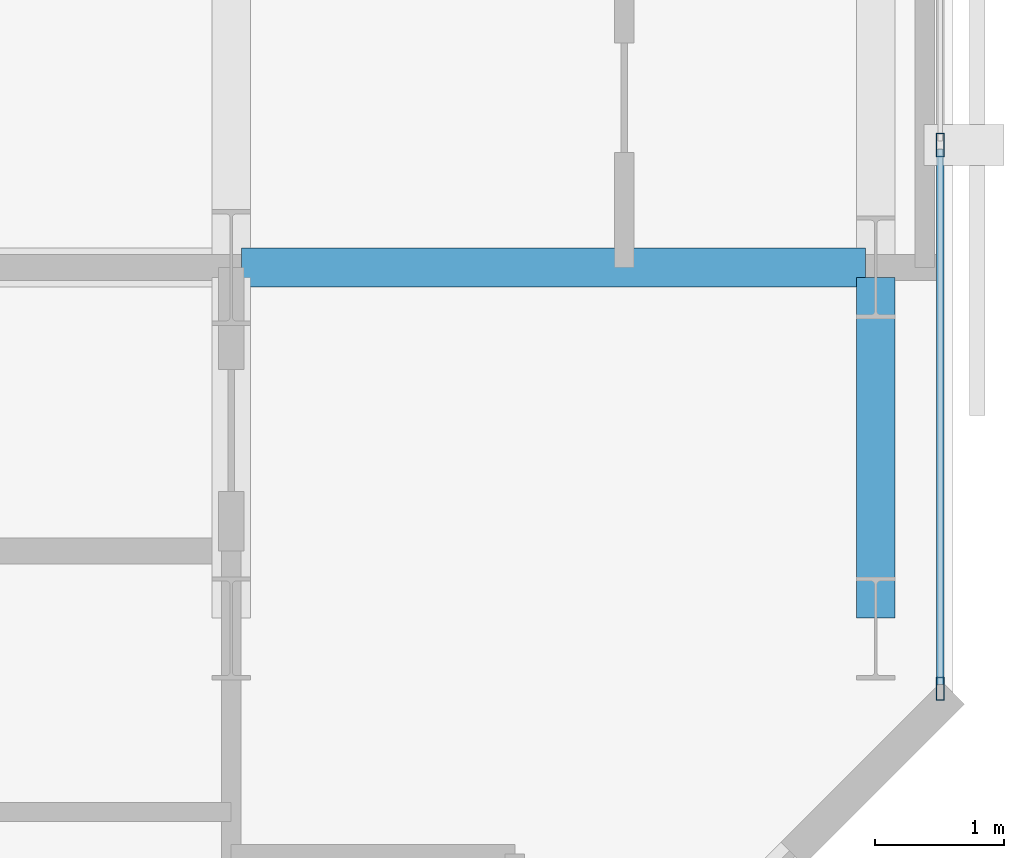
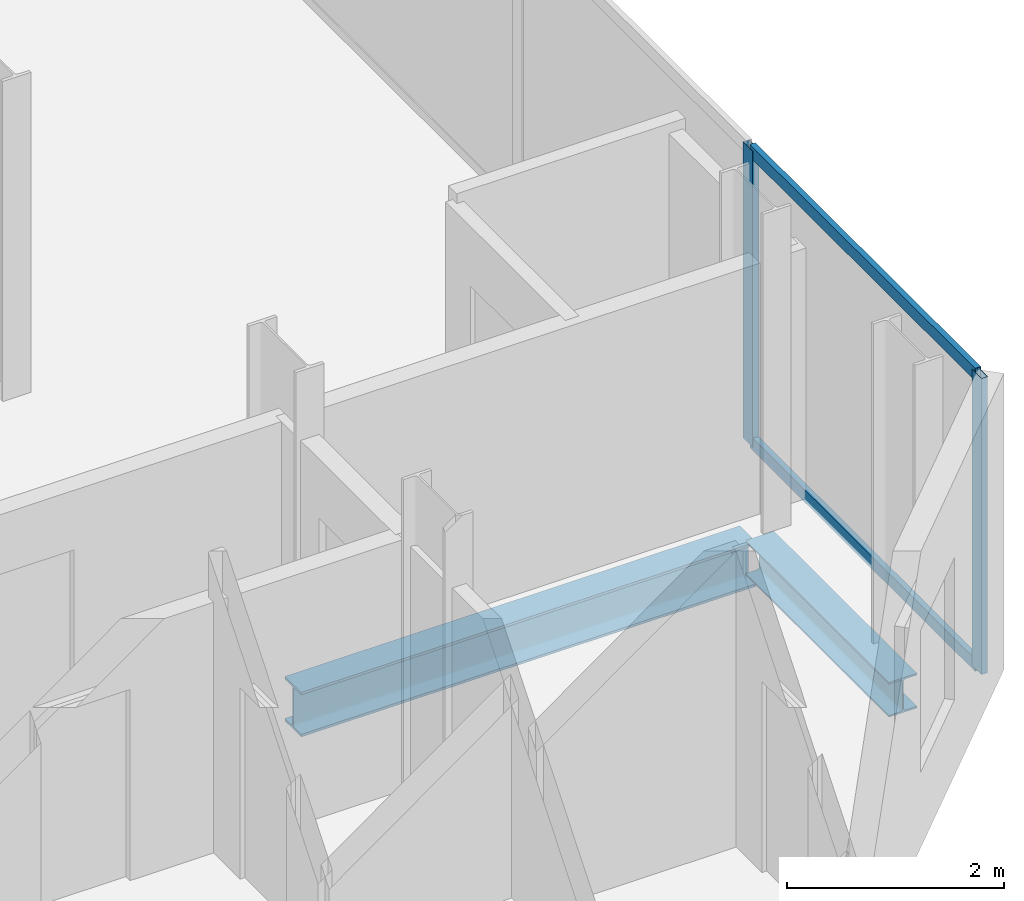
# One storey, part 17 of 33: 4 members, 2 beams, 1 element without a shape of its own.
"""IFC4 building model written with IfcOpenShell, lengths in metres."""

from ifc_helpers import new_model, si_unit, direction, frame, origin, origin_2d, place, context, subcontext, project, spatial, hollow_rectangle, i_section, extrude, material, layer, layer_set, material_profile, profile_set, type_object, element, aggregate, save


model = new_model("IFC4")

# Units and contexts
model_context = context("Model", 3, precision=1e-05, world=origin(), true_north=direction((0.0, 1.0)))
body_context = subcontext(model_context, "Body", "Model", "MODEL_VIEW")
ifc_project = project(units=[si_unit("LENGTHUNIT", "METRE"), si_unit("AREAUNIT", "SQUARE_METRE"), si_unit("VOLUMEUNIT", "CUBIC_METRE"), si_unit("PLANEANGLEUNIT", "RADIAN"), si_unit("MASSUNIT", "GRAM", prefix="KILO")], contexts=[model_context])

# Site, building, storey
site_placement = place(None, origin())
site = spatial("IfcSite", under=ifc_project, at=site_placement, CompositionType="ELEMENT")
building_placement = place(site_placement, origin())
building = spatial("IfcBuilding", under=site, at=building_placement, Name="Catumbela Crestline Tower", CompositionType="ELEMENT")
storey_placement = place(building_placement, frame((0.0, 0.0, 58.2)))
storey = spatial("IfcBuildingStorey", under=building, at=storey_placement, Name="L14", CompositionType="ELEMENT", Elevation=58.2)

# Beam
ifc_material_1 = material(Name="Structural steel S355J2", Category="steel")
ifc_material_profile_1 = material_profile(ifc_material_1, i_section(OverallWidth=0.3, OverallDepth=0.5, WebThickness=0.0145, FlangeThickness=0.028, FilletRadius=0.027, at=origin_2d()), Name="HEB 500")
ifc_profile_set_1 = profile_set([ifc_material_profile_1], Name="Structural steel S355J2")
beam_type_1 = type_object("IfcBeamType", Name="BG-HEB500", PredefinedType="BEAM", material=ifc_profile_set_1)
beam_1_placement = place(storey_placement, frame((50.48, 30.8, -0.51), z_axis=(1.0, 0.0, 0.0), x_axis=(0.0, 1.0, 0.0)))
element("IfcBeam", 1, at=beam_1_placement, inside=storey, type_object=beam_type_1, Name="L14 Beam BM-L14-M12", PredefinedType="BEAM", context=body_context, shape_type="SweptSolid", body=[
    extrude(i_section(OverallWidth=0.3, OverallDepth=0.5, WebThickness=0.0145, FlangeThickness=0.028, FilletRadius=0.027, at=origin_2d()), origin(), (0.0, 0.0, 1.0), 4.84),
])

# Curtain wall, members
ifc_material_2 = material(Name="Aluminium alloy AW-6060-T66", Category="aluminium")
ifc_layer = layer(ifc_material_2, 0.18, Name="Aluminium alloy AW-6060-T66")
ifc_layer_set = layer_set([ifc_layer], Name="Aluminium alloy AW-6060-T66")
curtain_wall_type = type_object("IfcCurtainWallType", Name="CWU-Z1", PredefinedType="USERDEFINED", material=ifc_layer_set)
curtain_wall_placement = place(storey_placement, origin())
curtain_wall = element("IfcCurtainWall", 2, at=curtain_wall_placement, inside=storey, type_object=curtain_wall_type, Name="L14 Unitised Curtain Wall CW-L14-E5S1", ObjectType="UNITISED", PredefinedType="USERDEFINED")
ifc_material_profile_2 = material_profile(ifc_material_2, hollow_rectangle(XDim=0.065, YDim=0.18, WallThickness=0.004, at=origin_2d()), Name="ALU 180x65x4")
ifc_profile_set_2 = profile_set([ifc_material_profile_2], Name="Aluminium alloy AW-6060-T66")
member_type_1 = type_object("IfcMemberType", Name="MUL-180X65", PredefinedType="MULLION", material=ifc_profile_set_2)
member_1_placement = place(storey_placement, frame((55.9, 27.5325, 0.0), z_axis=(0.0, 0.0, 1.0), x_axis=(-1.0, 0.0, 0.0)))
member_1 = element("IfcMember", 3, at=member_1_placement, type_object=member_type_1, Name="CWU-Z1 mullion 1", PredefinedType="MULLION", context=body_context, shape_type="SweptSolid", body=[
    extrude(hollow_rectangle(XDim=0.065, YDim=0.18, WallThickness=0.004, at=origin_2d()), origin(), (0.0, 0.0, 1.0), 3.33),
])
member_2_placement = place(storey_placement, frame((55.9, 31.75, 0.0), z_axis=(0.0, 0.0, 1.0), x_axis=(-1.0, 0.0, 0.0)))
member_2 = element("IfcMember", 4, at=member_2_placement, type_object=member_type_1, Name="CWU-Z1 mullion 2", PredefinedType="MULLION", context=body_context, shape_type="SweptSolid", body=[
    extrude(hollow_rectangle(XDim=0.065, YDim=0.18, WallThickness=0.004, at=origin_2d()), origin(), (0.0, 0.0, 1.0), 3.33),
])

# Beam
ifc_material_profile_3 = material_profile(ifc_material_1, i_section(OverallWidth=0.3, OverallDepth=0.39, WebThickness=0.011, FlangeThickness=0.019, FilletRadius=0.027, at=origin_2d()), Name="HEA 400")
ifc_profile_set_3 = profile_set([ifc_material_profile_3], Name="Structural steel S355J2")
beam_type_2 = type_object("IfcBeamType", Name="BS-HEA400", PredefinedType="SPANDREL", material=ifc_profile_set_3)
beam_2_placement = place(storey_placement, frame((55.4, 28.08, -0.455), z_axis=(0.0, 1.0, 0.0), x_axis=(-1.0, 0.0, 0.0)))
element("IfcBeam", 5, at=beam_2_placement, inside=storey, type_object=beam_type_2, Name="L14 Spandrel SP-L14-SN40", PredefinedType="SPANDREL", context=body_context, shape_type="SweptSolid", body=[
    extrude(i_section(OverallWidth=0.3, OverallDepth=0.39, WebThickness=0.011, FlangeThickness=0.019, FilletRadius=0.027, at=origin_2d()), origin(), (0.0, 0.0, 1.0), 2.64),
])

# Member
ifc_material_profile_4 = material_profile(ifc_material_2, hollow_rectangle(XDim=0.06, YDim=0.14, WallThickness=0.004, at=origin_2d()), Name="ALU 140x60x4")
ifc_profile_set_4 = profile_set([ifc_material_profile_4], Name="Aluminium alloy AW-6060-T66")
member_type_2 = type_object("IfcMemberType", Name="TRN-140X60", PredefinedType="USERDEFINED", material=ifc_profile_set_4)
member_3_placement = place(storey_placement, frame((55.9, 27.565, 0.03), z_axis=(0.0, 1.0, 0.0), x_axis=(-1.0, 0.0, 0.0)))
member_3 = element("IfcMember", 6, at=member_3_placement, type_object=member_type_2, Name="CWU-Z1 transom 1.1", ObjectType="TRANSOM", PredefinedType="USERDEFINED", context=body_context, shape_type="SweptSolid", body=[
    extrude(hollow_rectangle(XDim=0.06, YDim=0.14, WallThickness=0.004, at=origin_2d()), origin(), (0.0, 0.0, 1.0), 4.1525),
])

member_4_placement = place(storey_placement, frame((55.9, 27.565, 3.3), z_axis=(0.0, 1.0, 0.0), x_axis=(-1.0, 0.0, 0.0)))
member_4 = element("IfcMember", 7, at=member_4_placement, type_object=member_type_2, Name="CWU-Z1 transom 1.2", ObjectType="TRANSOM", PredefinedType="USERDEFINED", context=body_context, shape_type="SweptSolid", body=[
    extrude(hollow_rectangle(XDim=0.06, YDim=0.14, WallThickness=0.004, at=origin_2d()), origin(), (0.0, 0.0, 1.0), 4.1525),
])

aggregate(curtain_wall, [member_1, member_2, member_3, member_4])

save(model, "model.ifc")
